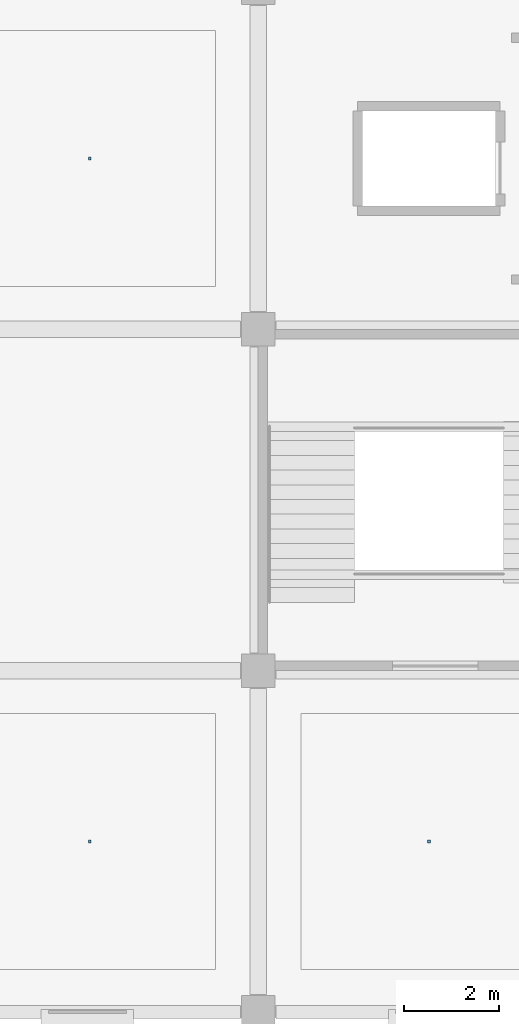
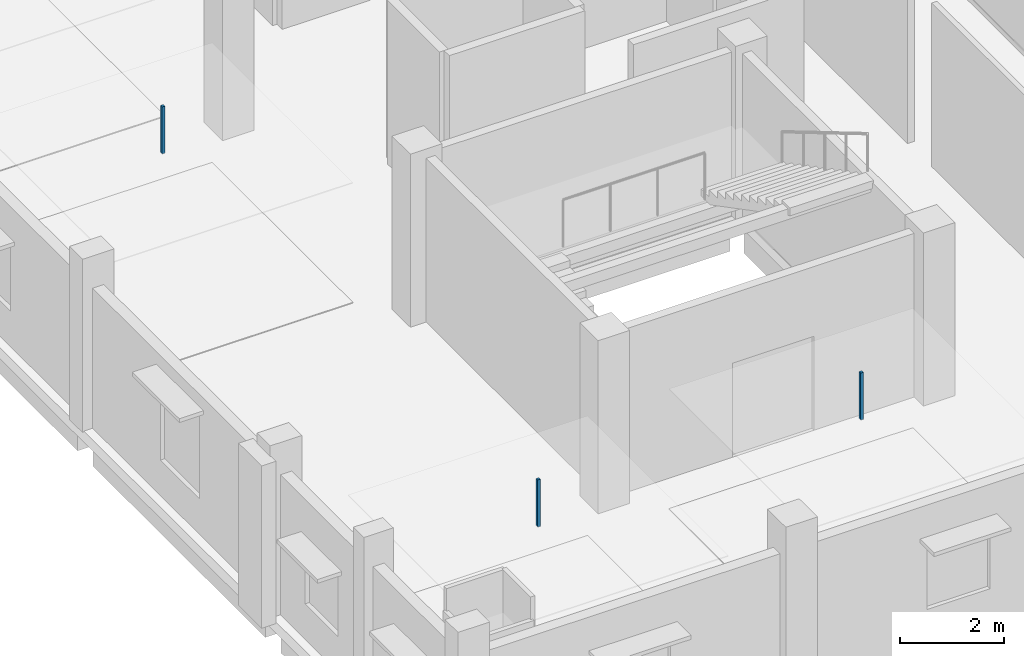
# One storey, part 61 of 77: 3 discrete accessories.
"""IFC4 building model written with IfcOpenShell, lengths in metres."""

from ifc_helpers import new_model, si_unit, direction, frame, origin, origin_2d, place, context, subcontext, project, spatial, rectangle, extrude, material, type_object, element, save


model = new_model("IFC4")

# Units and contexts
model_context = context("Model", 3, precision=1e-05, world=origin(), true_north=direction((0.0, 1.0)))
body_context = subcontext(model_context, "Body", "Model", "MODEL_VIEW")
ifc_project = project(units=[si_unit("LENGTHUNIT", "METRE"), si_unit("AREAUNIT", "SQUARE_METRE"), si_unit("VOLUMEUNIT", "CUBIC_METRE"), si_unit("PLANEANGLEUNIT", "RADIAN"), si_unit("MASSUNIT", "GRAM", prefix="KILO")], contexts=[model_context])

# Site, building, storey
site_placement = place(None, origin())
site = spatial("IfcSite", under=ifc_project, at=site_placement, CompositionType="ELEMENT")
building_placement = place(site_placement, origin())
building = spatial("IfcBuilding", under=site, at=building_placement, Name="Kangsadwip Square Police Headquarters", CompositionType="ELEMENT")
storey_placement = place(building_placement, frame((0.0, 0.0, 17.550048828125)))
storey = spatial("IfcBuildingStorey", under=building, at=storey_placement, Name="L04", CompositionType="ELEMENT", Elevation=17.550048828125)

# Discrete accessories
ifc_material = material(Name="Structural steel IS 2062 E350 (Grade 350, 350 MPa)", Category="steel")
discrete_accessory_type = type_object("IfcDiscreteAccessoryType", Name="VeilOutriggerBracket", PredefinedType="BRACKET", material=ifc_material)
for number, where, z_axis, x_axis, name in (
    (1, (3.64990234375, 39.60009765625, 2.809814453125), (0.0, 0.0, 1.0), (1.0, 0.0, 0.0), "Ceiling Suspension Hanger L04-118"),
    (2, (10.800048828125, 39.60009765625, 2.809814453125), (0.0, 0.0, 1.0), (1.0, 0.0, 0.0), "Ceiling Suspension Hanger L04-119"),
    (3, (3.64990234375, 54.0, 2.809814453125), (0.0, 0.0, 1.0), (1.0, 0.0, 0.0), "Ceiling Suspension Hanger L04-120"),
):
    element("IfcDiscreteAccessory", number, at=place(storey_placement, frame(where, z_axis=z_axis, x_axis=x_axis)), inside=storey, type_object=discrete_accessory_type, Name=name, PredefinedType="BRACKET", context=body_context, shape_type="SweptSolid", body=[
        extrude(rectangle(XDim=0.06005859375, YDim=0.06005859375, at=origin_2d()), origin(), (0.0, 0.0, 1.0), 1.10009765625),
    ])

save(model, "model.ifc")
